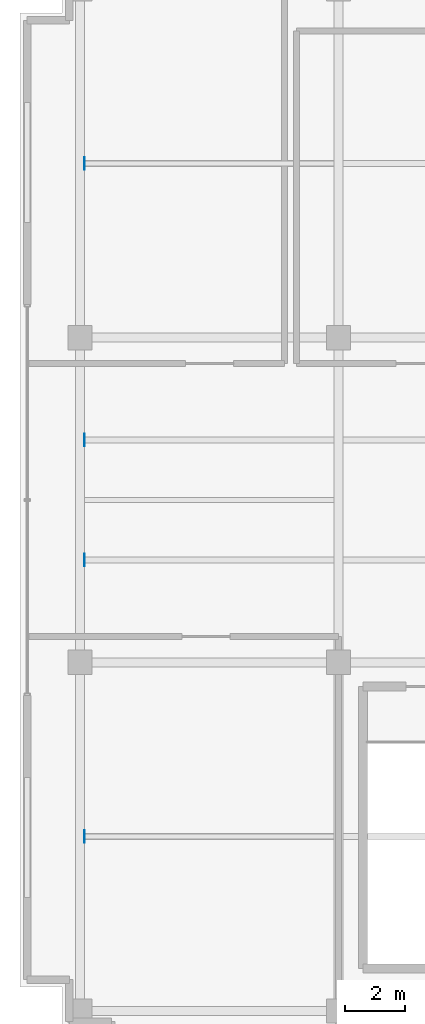
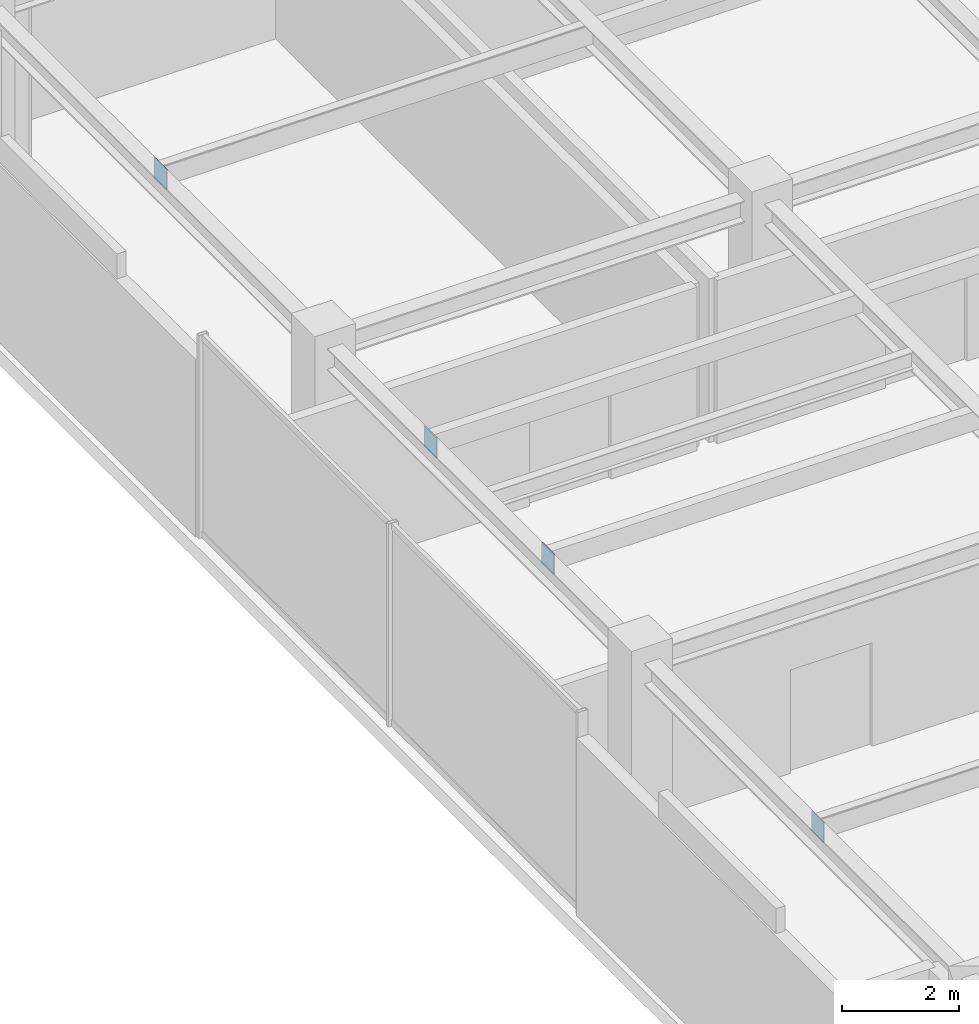
# One storey, part 17 of 21: 4 plates.
"""IFC4 building model written with IfcOpenShell, lengths in metres."""

from ifc_helpers import new_model, si_unit, direction, frame, origin, origin_2d, place, context, subcontext, project, spatial, rectangle, extrude, source, transform, mapped, material, layer, layer_set, type_object, element, save


model = new_model("IFC4")

# Units and contexts
model_context = context("Model", 3, precision=1e-05, world=origin(), true_north=direction((0.0, 1.0)))
body_context = subcontext(model_context, "Body", "Model", "MODEL_VIEW")
ifc_project = project(units=[si_unit("LENGTHUNIT", "METRE"), si_unit("AREAUNIT", "SQUARE_METRE"), si_unit("VOLUMEUNIT", "CUBIC_METRE"), si_unit("PLANEANGLEUNIT", "RADIAN"), si_unit("MASSUNIT", "GRAM", prefix="KILO")], contexts=[model_context])

# Site, building, storey
site_placement = place(None, origin())
site = spatial("IfcSite", under=ifc_project, at=site_placement, CompositionType="ELEMENT")
building_placement = place(site_placement, origin())
building = spatial("IfcBuilding", under=site, at=building_placement, Name="Nahalor Promenade Grand Hotel", CompositionType="ELEMENT")
storey_placement = place(building_placement, frame((0.0, 0.0, 370.85009765625)))
storey = spatial("IfcBuildingStorey", under=building, at=storey_placement, Name="L94", CompositionType="ELEMENT", Elevation=370.85009765625)

# Plates
ifc_material = material(Name="Steel S355JR", Category="steel")
ifc_layer = layer(ifc_material, 0.02001953125)
ifc_layer_set = layer_set([ifc_layer], Name="Steel S355JR")
plate_type = type_object("IfcPlateType", Name="Plate-PurlinCap-20", PredefinedType="USERDEFINED", material=ifc_layer_set)
shared_shape = source(origin(), body_context, "Body", "SweptSolid", [
    extrude(rectangle(XDim=0.419921875, YDim=0.02001953125, at=origin_2d()), origin(), (0.0, 0.0, 1.0), 0.419921875),
])
for number, where, z_axis, x_axis, name in (
    (1, (-16.85009765625, -11.199951171875, 3.7900390625), (0.0, 0.0, 1.0), (0.0, 1.0, 0.0), "PL-RFPURL-A0-0"),
    (2, (-16.85009765625, -2.0, 3.7900390625), (0.0, 0.0, 1.0), (0.0, 1.0, 0.0), "PL-RFPURL-A1-0"),
    (3, (-16.85009765625, 2.0, 3.7900390625), (0.0, 0.0, 1.0), (0.0, 1.0, 0.0), "PL-RFPURL-A2-0"),
    (4, (-16.85009765625, 11.199951171875, 3.7900390625), (0.0, 0.0, 1.0), (0.0, 1.0, 0.0), "PL-RFPURL-A3-0"),
):
    element("IfcPlate", number, at=place(storey_placement, frame(where, z_axis=z_axis, x_axis=x_axis)), inside=storey, type_object=plate_type, Name=name, ObjectType="CAP_PLATE", PredefinedType="USERDEFINED", context=body_context, shape_type="MappedRepresentation", body=[
        mapped(shared_shape, transform((0.0, 0.0, 0.0), scale=1.0)),
    ])

save(model, "model.ifc")
